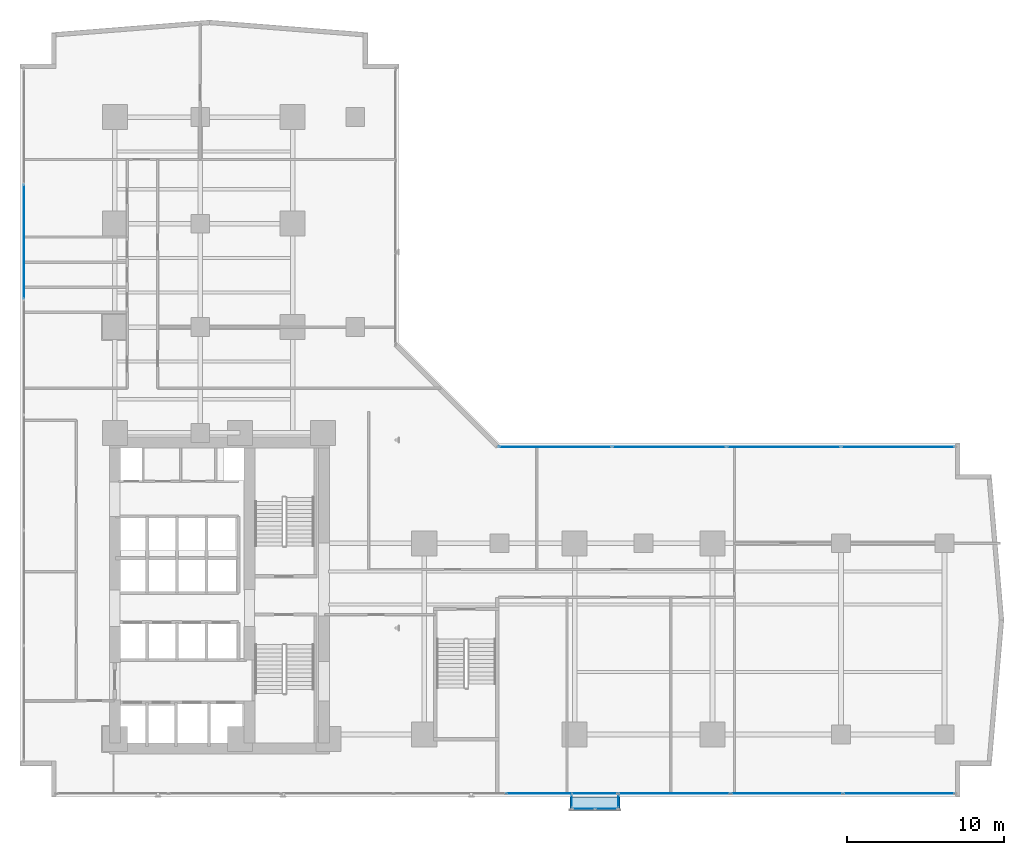
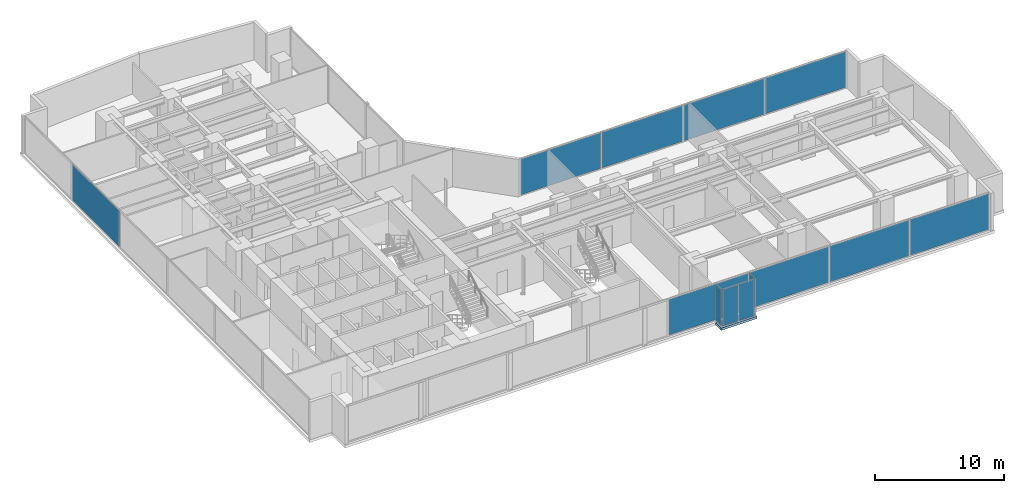
# One storey, part 21 of 30: 13 plates, 1 slab, 6 elements without a shape of their own.
"""IFC4 building model written with IfcOpenShell, lengths in metres."""

from ifc_helpers import new_model, si_unit, direction, frame, origin, origin_with_axes, origin_2d, place, context, subcontext, project, spatial, polyline, rectangle, outline, extrude, source, transform, mapped, material, layer, layer_set, type_object, element, aggregate, save


model = new_model("IFC4")

# Units and contexts
model_context = context("Model", 3, precision=1e-05, world=origin(), true_north=direction((0.0, 1.0)))
body_context = subcontext(model_context, "Body", "Model", "MODEL_VIEW")
ifc_project = project(units=[si_unit("LENGTHUNIT", "METRE"), si_unit("AREAUNIT", "SQUARE_METRE"), si_unit("VOLUMEUNIT", "CUBIC_METRE"), si_unit("PLANEANGLEUNIT", "RADIAN"), si_unit("MASSUNIT", "GRAM", prefix="KILO")], contexts=[model_context])

# Site, building, storey
site_placement = place(None, origin())
site = spatial("IfcSite", under=ifc_project, at=site_placement, CompositionType="ELEMENT")
building_placement = place(site_placement, origin())
building = spatial("IfcBuilding", under=site, at=building_placement, Name="Kolvaren Waterfront Exchange", CompositionType="ELEMENT")
storey_placement = place(building_placement, frame((0.0, 0.0, 71.39990234375)))
storey = spatial("IfcBuildingStorey", under=building, at=storey_placement, Name="L18", CompositionType="ELEMENT", Elevation=71.39990234375)

# Slab
ifc_material_1 = material(Name="Concrete C40/50", Category="concrete")
ifc_layer_1 = layer(ifc_material_1, 0.219970703125, Name="Concrete C40/50")
ifc_layer_set_1 = layer_set([ifc_layer_1], Name="Concrete C40/50")
slab_type = type_object("IfcSlabType", Name="STR-TERR-220", PredefinedType="FLOOR", material=ifc_layer_set_1)
slab_placement = place(storey_placement, frame((0.0, 0.0, -0.219970703125)))
element("IfcSlab", 1, at=slab_placement, inside=storey, type_object=slab_type, Name="L18 projecting bay-box floor strip", PredefinedType="FLOOR", context=body_context, shape_type="SweptSolid", body=[
    extrude(outline(polyline([(36.5, 0.35009765625), (39.699951171875, 0.35009765625), (39.699951171875, 1.199951171875), (36.5, 1.199951171875), (36.5, 0.35009765625)])), origin(), (0.0, 0.0, 1.0), 0.219970703125),
])

# Curtain wall, plates
ifc_material_2 = material(Name="Anodised bronze aluminium 6063-T6", Category="aluminium")
ifc_layer_2 = layer(ifc_material_2, 0.219970703125, Name="Anodised bronze aluminium 6063-T6")
ifc_layer_set_2 = layer_set([ifc_layer_2], Name="Anodised bronze aluminium 6063-T6")
curtain_wall_type_1 = type_object("IfcCurtainWallType", Name="ARC-CW-SYS1", PredefinedType="USERDEFINED", material=ifc_layer_set_2)
curtain_wall_1_placement = place(storey_placement, origin())
curtain_wall_1 = element("IfcCurtainWall", 2, at=curtain_wall_1_placement, inside=storey, type_object=curtain_wall_type_1, Name="L18 stick curtain wall CW1 (CW-L18-S)", ObjectType="STICK CURTAIN WALL", PredefinedType="USERDEFINED")
ifc_material_3 = material(Name="Bronze solar control vision glass", Category="aluminium")
ifc_layer_3 = layer(ifc_material_3, 0.028076171875, Name="Bronze solar control vision glass")
ifc_layer_set_3 = layer_set([ifc_layer_3], Name="Bronze solar control vision glass")
plate_type_1 = type_object("IfcPlateType", Name="ARC-CWP-28", PredefinedType="CURTAIN_PANEL", material=ifc_layer_set_3)
shared_shape_1 = source(origin_with_axes(), body_context, "Body", "SweptSolid", [
    extrude(rectangle(XDim=7.054931640625, YDim=0.028076171875, at=origin_2d()), origin(), (0.0, 0.0, 1.0), 3.389892578125),
])
plate_1_placement = place(storey_placement, frame((57.492431640625, 1.43994140625, 0.0751953125), z_axis=(0.0, 0.0, 1.0), x_axis=(1.0, 0.0, 0.0)))
plate_1 = element("IfcPlate", 3, at=plate_1_placement, type_object=plate_type_1, Name="CW1 panel 8.1", PredefinedType="CURTAIN_PANEL", context=body_context, shape_type="MappedRepresentation", body=[
    mapped(shared_shape_1, transform((0.0, 0.0, 0.0), x_axis=(1.0, 0.0, 0.0), y_axis=(0.0, 1.0, 0.0), z_axis=(0.0, 0.0, 1.0), scale=1.0)),
])
shared_shape_2 = source(origin_with_axes(), body_context, "Body", "SweptSolid", [
    extrude(rectangle(XDim=7.094970703125, YDim=0.028076171875, at=origin_2d()), origin(), (0.0, 0.0, 1.0), 3.389892578125),
])
plate_2_placement = place(storey_placement, frame((35.987548828125, 1.43994140625, 0.0751953125), z_axis=(0.0, 0.0, 1.0), x_axis=(1.0, 0.0, 0.0)))
plate_2 = element("IfcPlate", 4, at=plate_2_placement, type_object=plate_type_1, Name="CW1 panel 5.1", PredefinedType="CURTAIN_PANEL", context=body_context, shape_type="MappedRepresentation", body=[
    mapped(shared_shape_2, transform((0.0, 0.0, 0.0), x_axis=(1.0, 0.0, 0.0), y_axis=(0.0, 1.0, 0.0), z_axis=(0.0, 0.0, 1.0), scale=1.0)),
])
plate_3_placement = place(storey_placement, frame((43.16259765625, 1.43994140625, 0.0751953125), z_axis=(0.0, 0.0, 1.0), x_axis=(1.0, 0.0, 0.0)))
plate_3 = element("IfcPlate", 5, at=plate_3_placement, type_object=plate_type_1, Name="CW1 panel 6.1", PredefinedType="CURTAIN_PANEL", context=body_context, shape_type="MappedRepresentation", body=[
    mapped(shared_shape_2, transform((0.0, 0.0, 0.0), x_axis=(1.0, 0.0, 0.0), y_axis=(0.0, 1.0, 0.0), z_axis=(0.0, 0.0, 1.0), scale=1.0)),
])
plate_4_placement = place(storey_placement, frame((50.33740234375, 1.43994140625, 0.0751953125), z_axis=(0.0, 0.0, 1.0), x_axis=(1.0, 0.0, 0.0)))
plate_4 = element("IfcPlate", 6, at=plate_4_placement, type_object=plate_type_1, Name="CW1 panel 7.1", PredefinedType="CURTAIN_PANEL", context=body_context, shape_type="MappedRepresentation", body=[
    mapped(shared_shape_2, transform((0.0, 0.0, 0.0), x_axis=(1.0, 0.0, 0.0), y_axis=(0.0, 1.0, 0.0), z_axis=(0.0, 0.0, 1.0), scale=1.0)),
])
aggregate(curtain_wall_1, [plate_2, plate_3, plate_4, plate_1])

# Curtain wall, plate
ifc_material_4 = material(Name="Anodised aluminium 6063-T6", Category="aluminium")
ifc_layer_4 = layer(ifc_material_4, 0.219970703125, Name="Anodised aluminium 6063-T6")
ifc_layer_set_4 = layer_set([ifc_layer_4], Name="Anodised aluminium 6063-T6")
curtain_wall_type_2 = type_object("IfcCurtainWallType", Name="ARC-CW-SYS2", PredefinedType="USERDEFINED", material=ifc_layer_set_4)
curtain_wall_2_placement = place(storey_placement, origin())
curtain_wall_2 = element("IfcCurtainWall", 7, at=curtain_wall_2_placement, inside=storey, type_object=curtain_wall_type_2, Name="L18 stick curtain wall CW2 (CW-L18-W)", ObjectType="STICK CURTAIN WALL", PredefinedType="USERDEFINED")
ifc_material_5 = material(Name="Acoustic laminated vision glass", Category="glass")
ifc_layer_5 = layer(ifc_material_5, 0.031982421875, Name="Acoustic laminated vision glass")
ifc_layer_set_5 = layer_set([ifc_layer_5], Name="Acoustic laminated vision glass")
plate_type_2 = type_object("IfcPlateType", Name="ARC-CWP-32", PredefinedType="CURTAIN_PANEL", material=ifc_layer_set_5)
shared_shape_3 = source(origin_with_axes(), body_context, "Body", "SweptSolid", [
    extrude(rectangle(XDim=7.28662109375, YDim=0.031982421875, at=origin_2d()), origin(), (0.0, 0.0, 1.0), 3.389892578125),
])
plate_5_placement = place(storey_placement, frame((1.639892578125, 36.64990234375, 0.0751953125), z_axis=(0.0, 0.0, 1.0), x_axis=(0.0, 1.0, 0.0)))
plate_5 = element("IfcPlate", 8, at=plate_5_placement, type_object=plate_type_2, Name="CW2 panel 5.1", PredefinedType="CURTAIN_PANEL", context=body_context, shape_type="MappedRepresentation", body=[
    mapped(shared_shape_3, transform((0.0, 0.0, 0.0), x_axis=(1.0, 0.0, 0.0), y_axis=(0.0, 1.0, 0.0), z_axis=(0.0, 0.0, 1.0), scale=1.0)),
])
aggregate(curtain_wall_2, [plate_5])

# Curtain wall, plates
curtain_wall_3_placement = place(storey_placement, origin())
curtain_wall_3 = element("IfcCurtainWall", 9, at=curtain_wall_3_placement, inside=storey, type_object=curtain_wall_type_1, Name="L18 stick curtain wall CW1 (CW-L18-EN)", ObjectType="STICK CURTAIN WALL", PredefinedType="USERDEFINED")
shared_shape_4 = source(origin_with_axes(), body_context, "Body", "SweptSolid", [
    extrude(rectangle(XDim=7.1826171875, YDim=0.028076171875, at=origin_2d()), origin(), (0.0, 0.0, 1.0), 3.389892578125),
])
plate_6_placement = place(storey_placement, frame((35.561279296875, 23.56005859375, 0.0751953125), z_axis=(0.0, 0.0, 1.0), x_axis=(1.0, 0.0, 0.0)))
plate_6 = element("IfcPlate", 10, at=plate_6_placement, type_object=plate_type_1, Name="CW1 panel 1.1", PredefinedType="CURTAIN_PANEL", context=body_context, shape_type="MappedRepresentation", body=[
    mapped(shared_shape_4, transform((0.0, 0.0, 0.0), x_axis=(1.0, 0.0, 0.0), y_axis=(0.0, 1.0, 0.0), z_axis=(0.0, 0.0, 1.0), scale=1.0)),
])
plate_7_placement = place(storey_placement, frame((57.4287109375, 23.56005859375, 0.0751953125), z_axis=(0.0, 0.0, 1.0), x_axis=(1.0, 0.0, 0.0)))
plate_7 = element("IfcPlate", 11, at=plate_7_placement, type_object=plate_type_1, Name="CW1 panel 4.1", PredefinedType="CURTAIN_PANEL", context=body_context, shape_type="MappedRepresentation", body=[
    mapped(shared_shape_4, transform((0.0, 0.0, 0.0), x_axis=(1.0, 0.0, 0.0), y_axis=(0.0, 1.0, 0.0), z_axis=(0.0, 0.0, 1.0), scale=1.0)),
])
shared_shape_5 = source(origin_with_axes(), body_context, "Body", "SweptSolid", [
    extrude(rectangle(XDim=7.222412109375, YDim=0.028076171875, at=origin_2d()), origin(), (0.0, 0.0, 1.0), 3.389892578125),
])
plate_8_placement = place(storey_placement, frame((42.84375, 23.56005859375, 0.0751953125), z_axis=(0.0, 0.0, 1.0), x_axis=(1.0, 0.0, 0.0)))
plate_8 = element("IfcPlate", 12, at=plate_8_placement, type_object=plate_type_1, Name="CW1 panel 2.1", PredefinedType="CURTAIN_PANEL", context=body_context, shape_type="MappedRepresentation", body=[
    mapped(shared_shape_5, transform((0.0, 0.0, 0.0), x_axis=(1.0, 0.0, 0.0), y_axis=(0.0, 1.0, 0.0), z_axis=(0.0, 0.0, 1.0), scale=1.0)),
])
plate_9_placement = place(storey_placement, frame((50.146240234375, 23.56005859375, 0.0751953125), z_axis=(0.0, 0.0, 1.0), x_axis=(1.0, 0.0, 0.0)))
plate_9 = element("IfcPlate", 13, at=plate_9_placement, type_object=plate_type_1, Name="CW1 panel 3.1", PredefinedType="CURTAIN_PANEL", context=body_context, shape_type="MappedRepresentation", body=[
    mapped(shared_shape_5, transform((0.0, 0.0, 0.0), x_axis=(1.0, 0.0, 0.0), y_axis=(0.0, 1.0, 0.0), z_axis=(0.0, 0.0, 1.0), scale=1.0)),
])
aggregate(curtain_wall_3, [plate_6, plate_8, plate_9, plate_7])

# Curtain wall, plate
ifc_layer_6 = layer(ifc_material_2, 0.219970703125, Name="Anodised bronze aluminium 6063-T6")
ifc_layer_set_6 = layer_set([ifc_layer_6], Name="Anodised bronze aluminium 6063-T6")
curtain_wall_type_3 = type_object("IfcCurtainWallType", Name="ARC-CW-SYS3", PredefinedType="USERDEFINED", material=ifc_layer_set_6)
curtain_wall_4_placement = place(storey_placement, origin())
curtain_wall_4 = element("IfcCurtainWall", 14, at=curtain_wall_4_placement, inside=storey, type_object=curtain_wall_type_3, Name="L18 stick curtain wall CW3 (CW-L18-BOX-W)", ObjectType="STICK CURTAIN WALL", PredefinedType="USERDEFINED")
ifc_material_6 = material(Name="Bronze tinted bay-box vision glass", Category="aluminium")
ifc_layer_7 = layer(ifc_material_6, 0.02392578125, Name="Bronze tinted bay-box vision glass")
ifc_layer_set_7 = layer_set([ifc_layer_7], Name="Bronze tinted bay-box vision glass")
plate_type_3 = type_object("IfcPlateType", Name="ARC-CWP-24", PredefinedType="CURTAIN_PANEL", material=ifc_layer_set_7)
shared_shape_6 = source(origin_with_axes(), body_context, "Body", "SweptSolid", [
    extrude(rectangle(XDim=0.830078125, YDim=0.02392578125, at=origin_2d()), origin(), (0.0, 0.0, 1.0), 3.409912109375),
])
plate_10_placement = place(storey_placement, frame((36.610107421875, 0.949951171875, 0.06494140625), z_axis=(0.0, 0.0, 1.0), x_axis=(0.0, -1.0, 0.0)))
plate_10 = element("IfcPlate", 15, at=plate_10_placement, type_object=plate_type_3, Name="CW3 panel 1.1", PredefinedType="CURTAIN_PANEL", context=body_context, shape_type="MappedRepresentation", body=[
    mapped(shared_shape_6, transform((0.0, 0.0, 0.0), x_axis=(1.0, 0.0, 0.0), y_axis=(0.0, 1.0, 0.0), z_axis=(0.0, 0.0, 1.0), scale=1.0)),
])
aggregate(curtain_wall_4, [plate_10])

curtain_wall_5_placement = place(storey_placement, origin())
curtain_wall_5 = element("IfcCurtainWall", 16, at=curtain_wall_5_placement, inside=storey, type_object=curtain_wall_type_3, Name="L18 stick curtain wall CW3 (CW-L18-BOX-E)", ObjectType="STICK CURTAIN WALL", PredefinedType="USERDEFINED")
plate_11_placement = place(storey_placement, frame((39.590087890625, 0.949951171875, 0.06494140625), z_axis=(0.0, 0.0, 1.0), x_axis=(0.0, 1.0, 0.0)))
plate_11 = element("IfcPlate", 17, at=plate_11_placement, type_object=plate_type_3, Name="CW3 panel 1.1", PredefinedType="CURTAIN_PANEL", context=body_context, shape_type="MappedRepresentation", body=[
    mapped(shared_shape_6, transform((0.0, 0.0, 0.0), x_axis=(1.0, 0.0, 0.0), y_axis=(0.0, 1.0, 0.0), z_axis=(0.0, 0.0, 1.0), scale=1.0)),
])
aggregate(curtain_wall_5, [plate_11])

# Curtain wall, plates
curtain_wall_6_placement = place(storey_placement, origin())
curtain_wall_6 = element("IfcCurtainWall", 18, at=curtain_wall_6_placement, inside=storey, type_object=curtain_wall_type_3, Name="L18 stick curtain wall CW3 (CW-L18-BOX)", ObjectType="STICK CURTAIN WALL", PredefinedType="USERDEFINED")
shared_shape_7 = source(origin_with_axes(), body_context, "Body", "SweptSolid", [
    extrude(rectangle(XDim=1.37744140625, YDim=0.02392578125, at=origin_2d()), origin(), (0.0, 0.0, 1.0), 3.409912109375),
])
plate_12_placement = place(storey_placement, frame((37.373779296875, 0.4599609375, 0.06494140625), z_axis=(0.0, 0.0, 1.0), x_axis=(1.0, 0.0, 0.0)))
plate_12 = element("IfcPlate", 19, at=plate_12_placement, type_object=plate_type_3, Name="CW3 panel 1.1", PredefinedType="CURTAIN_PANEL", context=body_context, shape_type="MappedRepresentation", body=[
    mapped(shared_shape_7, transform((0.0, 0.0, 0.0), x_axis=(1.0, 0.0, 0.0), y_axis=(0.0, 1.0, 0.0), z_axis=(0.0, 0.0, 1.0), scale=1.0)),
])
plate_13_placement = place(storey_placement, frame((38.826171875, 0.4599609375, 0.06494140625), z_axis=(0.0, 0.0, 1.0), x_axis=(1.0, 0.0, 0.0)))
plate_13 = element("IfcPlate", 20, at=plate_13_placement, type_object=plate_type_3, Name="CW3 panel 2.1", PredefinedType="CURTAIN_PANEL", context=body_context, shape_type="MappedRepresentation", body=[
    mapped(shared_shape_7, transform((0.0, 0.0, 0.0), x_axis=(1.0, 0.0, 0.0), y_axis=(0.0, 1.0, 0.0), z_axis=(0.0, 0.0, 1.0), scale=1.0)),
])
aggregate(curtain_wall_6, [plate_12, plate_13])

save(model, "model.ifc")
